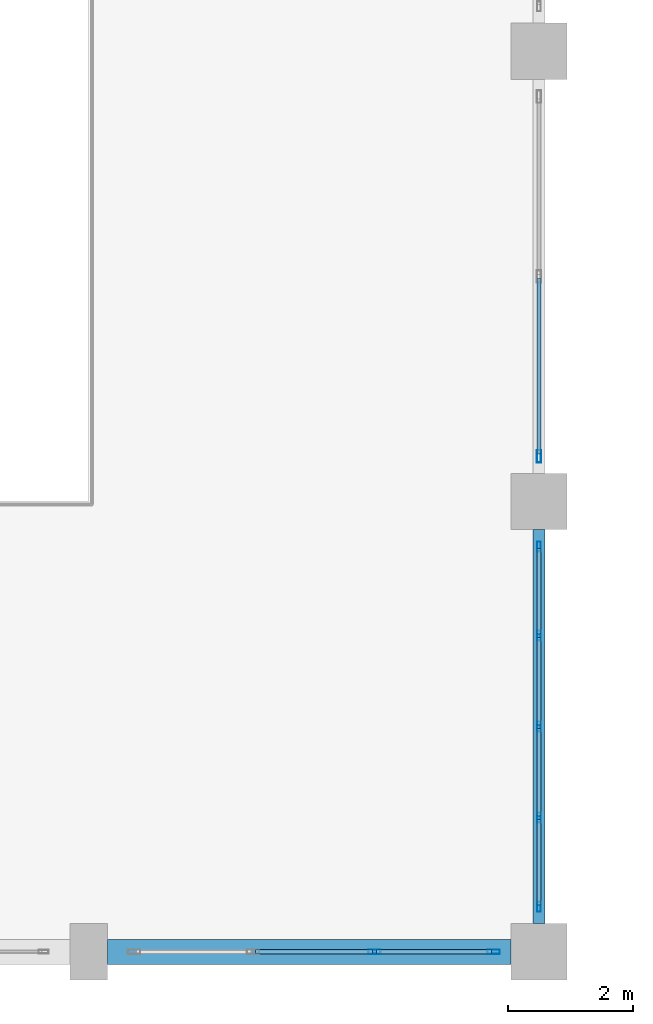
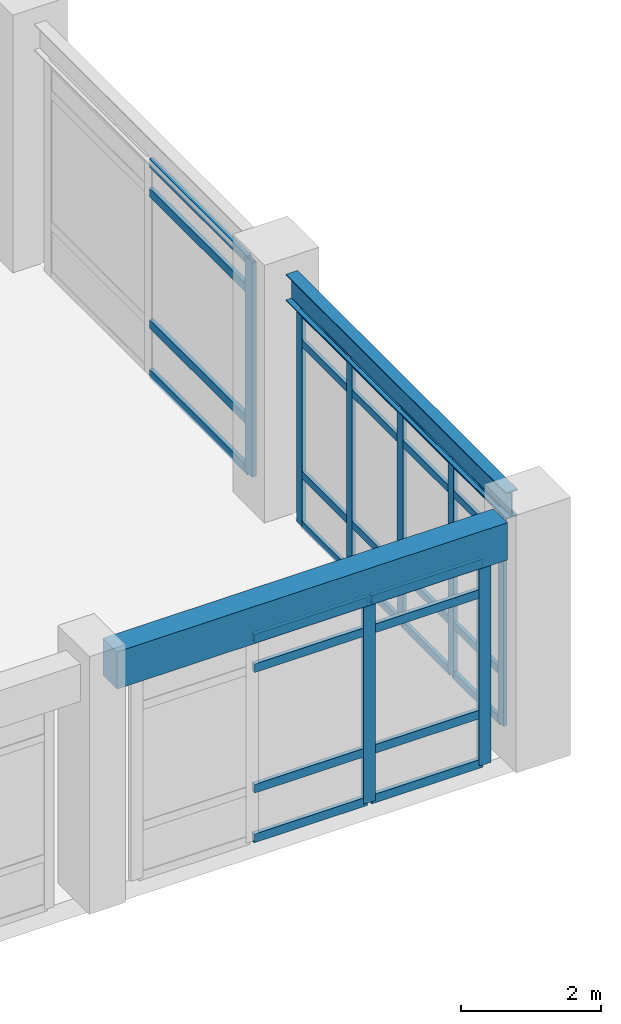
# One storey, part 15 of 106: 36 members, 2 beams, 3 elements without a shape of their own.
"""IFC4 building model written with IfcOpenShell, lengths in metres."""

from ifc_helpers import new_model, si_unit, direction, frame, origin, origin_2d, place, context, subcontext, project, spatial, rectangle, hollow_rectangle, i_section, extrude, material, layer, layer_set, material_profile, profile_set, type_object, element, aggregate, save


model = new_model("IFC4")

# Units and contexts
model_context = context("Model", 3, precision=1e-05, world=origin(), true_north=direction((0.0, 1.0)))
body_context = subcontext(model_context, "Body", "Model", "MODEL_VIEW")
ifc_project = project(units=[si_unit("LENGTHUNIT", "METRE"), si_unit("AREAUNIT", "SQUARE_METRE"), si_unit("VOLUMEUNIT", "CUBIC_METRE"), si_unit("PLANEANGLEUNIT", "RADIAN"), si_unit("MASSUNIT", "GRAM", prefix="KILO")], contexts=[model_context])

# Site, building, storey
site_placement = place(None, origin())
site = spatial("IfcSite", under=ifc_project, at=site_placement, CompositionType="ELEMENT")
building_placement = place(site_placement, origin())
building = spatial("IfcBuilding", under=site, at=building_placement, Name="Carrowvane Square Congress Hotel", CompositionType="ELEMENT")
storey_placement = place(building_placement, frame((0.0, 0.0, 10.5)))
storey = spatial("IfcBuildingStorey", under=building, at=storey_placement, Name="L02", CompositionType="ELEMENT", Elevation=10.5)

# Beam
ifc_material_1 = material(Name="Steel S355", Category="steel")
ifc_material_profile_1 = material_profile(ifc_material_1, i_section(OverallWidth=0.19140625, OverallDepth=0.4599609375, WebThickness=0.010009765625, FlangeThickness=0.01611328125, FilletRadius=0.01025390625, at=origin_2d()), Name="UKB 457x191x82")
ifc_profile_set_1 = profile_set([ifc_material_profile_1], Name="Steel S355")
beam_type_1 = type_object("IfcBeamType", Name="BM-ST-UKB457", PredefinedType="SPANDREL", material=ifc_profile_set_1)
beam_1_placement = place(storey_placement, frame((62.0, 5.85009765625, 3.989990234375), z_axis=(0.0, 1.0, 0.0), x_axis=(-1.0, 0.0, 0.0)))
element("IfcBeam", 1, at=beam_1_placement, inside=storey, type_object=beam_type_1, Name="L03 girder 8/A-B", PredefinedType="SPANDREL", context=body_context, shape_type="SweptSolid", body=[
    extrude(i_section(OverallWidth=0.19140625, OverallDepth=0.4599609375, WebThickness=0.010009765625, FlangeThickness=0.01611328125, FilletRadius=0.01025390625, at=origin_2d()), origin(), (0.0, 0.0, 1.0), 6.2998046875),
])

# Curtain wall, members
ifc_material_2 = material(Name="Anodised aluminium", Category="aluminium")
ifc_layer_1 = layer(ifc_material_2, 0.2099609375)
ifc_layer_set_1 = layer_set([ifc_layer_1], Name="Anodised aluminium")
curtain_wall_type_1 = type_object("IfcCurtainWallType", Name="CW-SYS-5", PredefinedType="NOTDEFINED", material=ifc_layer_set_1)
curtain_wall_1_placement = place(storey_placement, origin())
curtain_wall_1 = element("IfcCurtainWall", 2, at=curtain_wall_1_placement, inside=storey, type_object=curtain_wall_type_1, Name="L02 unitised curtain wall 188", PredefinedType="NOTDEFINED")
ifc_material_3 = material(Name="Anodised aluminium", Category="aluminium")
ifc_material_profile_2 = material_profile(ifc_material_3, hollow_rectangle(XDim=0.06005859375, YDim=0.159912109375, WallThickness=0.00390625, at=origin_2d()), Name="CW-ML 60x160x4")
ifc_profile_set_2 = profile_set([ifc_material_profile_2], Name="Anodised aluminium")
member_type_1 = type_object("IfcMemberType", Name="CW-MUL-1", PredefinedType="MULLION", material=ifc_profile_set_2)
member_1_placement = place(storey_placement, frame((62.0, 11.8798828125, 0.0), z_axis=(0.0, 0.0, 1.0), x_axis=(1.0, 0.0, 0.0)))
member_1 = element("IfcMember", 3, at=member_1_placement, type_object=member_type_1, Name="CW-5 mullion 1", PredefinedType="MULLION", context=body_context, shape_type="SweptSolid", body=[
    extrude(hollow_rectangle(XDim=0.06005859375, YDim=0.159912109375, WallThickness=0.00390625, at=origin_2d()), origin(), (0.0, 0.0, 1.0), 3.7451171875),
])
member_2_placement = place(storey_placement, frame((62.0, 10.455078125, 0.0), z_axis=(0.0, 0.0, 1.0), x_axis=(1.0, 0.0, 0.0)))
member_2 = element("IfcMember", 4, at=member_2_placement, type_object=member_type_1, Name="CW-5 mullion 2", PredefinedType="MULLION", context=body_context, shape_type="SweptSolid", body=[
    extrude(hollow_rectangle(XDim=0.06005859375, YDim=0.159912109375, WallThickness=0.00390625, at=origin_2d()), origin(), (0.0, 0.0, 1.0), 3.7451171875),
])
member_3_placement = place(storey_placement, frame((62.0, 9.0, 0.0), z_axis=(0.0, 0.0, 1.0), x_axis=(1.0, 0.0, 0.0)))
member_3 = element("IfcMember", 5, at=member_3_placement, type_object=member_type_1, Name="CW-5 mullion 3", PredefinedType="MULLION", context=body_context, shape_type="SweptSolid", body=[
    extrude(hollow_rectangle(XDim=0.06005859375, YDim=0.159912109375, WallThickness=0.00390625, at=origin_2d()), origin(), (0.0, 0.0, 1.0), 3.7451171875),
])
member_4_placement = place(storey_placement, frame((62.0, 7.544921875, 0.0), z_axis=(0.0, 0.0, 1.0), x_axis=(1.0, 0.0, 0.0)))
member_4 = element("IfcMember", 6, at=member_4_placement, type_object=member_type_1, Name="CW-5 mullion 4", PredefinedType="MULLION", context=body_context, shape_type="SweptSolid", body=[
    extrude(hollow_rectangle(XDim=0.06005859375, YDim=0.159912109375, WallThickness=0.00390625, at=origin_2d()), origin(), (0.0, 0.0, 1.0), 3.7451171875),
])
member_5_placement = place(storey_placement, frame((62.0, 6.1201171875, 0.0), z_axis=(0.0, 0.0, 1.0), x_axis=(1.0, 0.0, 0.0)))
member_5 = element("IfcMember", 7, at=member_5_placement, type_object=member_type_1, Name="CW-5 mullion 5", PredefinedType="MULLION", context=body_context, shape_type="SweptSolid", body=[
    extrude(hollow_rectangle(XDim=0.06005859375, YDim=0.159912109375, WallThickness=0.00390625, at=origin_2d()), origin(), (0.0, 0.0, 1.0), 3.7451171875),
])

# Curtain wall, member
ifc_material_4 = material(Name="Anodised aluminium", Category="aluminium")
ifc_layer_2 = layer(ifc_material_4, 0.197998046875)
ifc_layer_set_2 = layer_set([ifc_layer_2], Name="Anodised aluminium")
curtain_wall_type_2 = type_object("IfcCurtainWallType", Name="CW-SYS-4", PredefinedType="NOTDEFINED", material=ifc_layer_set_2)
curtain_wall_2_placement = place(storey_placement, origin())
curtain_wall_2 = element("IfcCurtainWall", 8, at=curtain_wall_2_placement, inside=storey, type_object=curtain_wall_type_2, Name="L02 unitised curtain wall 187", PredefinedType="NOTDEFINED")
ifc_material_5 = material(Name="Anodised aluminium", Category="aluminium")
ifc_material_profile_3 = material_profile(ifc_material_5, hollow_rectangle(XDim=0.070068359375, YDim=0.199951171875, WallThickness=0.0048828125, at=origin_2d()), Name="CW-ML 70x200x5")
ifc_profile_set_3 = profile_set([ifc_material_profile_3], Name="Anodised aluminium")
member_type_2 = type_object("IfcMemberType", Name="CW-MUL-2", PredefinedType="MULLION", material=ifc_profile_set_3)
member_6_placement = place(storey_placement, frame((62.0, 13.324951171875, 0.0), z_axis=(0.0, 0.0, 1.0), x_axis=(1.0, 0.0, 0.0)))
member_6 = element("IfcMember", 9, at=member_6_placement, type_object=member_type_2, Name="CW-4 mullion 3", PredefinedType="MULLION", context=body_context, shape_type="SweptSolid", body=[
    extrude(hollow_rectangle(XDim=0.070068359375, YDim=0.199951171875, WallThickness=0.0048828125, at=origin_2d()), origin(), (0.0, 0.0, 1.0), 3.7451171875),
])

# Curtain wall, members
ifc_material_6 = material(Name="Anodised aluminium", Category="aluminium")
ifc_layer_3 = layer(ifc_material_6, 0.221923828125)
ifc_layer_set_3 = layer_set([ifc_layer_3], Name="Anodised aluminium")
curtain_wall_type_3 = type_object("IfcCurtainWallType", Name="CW-SYS-6", PredefinedType="NOTDEFINED", material=ifc_layer_set_3)
curtain_wall_3_placement = place(storey_placement, origin())
curtain_wall_3 = element("IfcCurtainWall", 10, at=curtain_wall_3_placement, inside=storey, type_object=curtain_wall_type_3, Name="L02 unitised curtain wall 189", PredefinedType="NOTDEFINED")
member_7_placement = place(storey_placement, frame((61.27490234375, 5.39990234375, 0.0), z_axis=(0.0, 0.0, 1.0), x_axis=(0.0, -1.0, 0.0)))
member_7 = element("IfcMember", 11, at=member_7_placement, type_object=member_type_2, Name="CW-6 mullion 1", PredefinedType="MULLION", context=body_context, shape_type="SweptSolid", body=[
    extrude(hollow_rectangle(XDim=0.070068359375, YDim=0.199951171875, WallThickness=0.0048828125, at=origin_2d()), origin(), (0.0, 0.0, 1.0), 3.554931640625),
])
member_8_placement = place(storey_placement, frame((59.3701171875, 5.39990234375, 0.0), z_axis=(0.0, 0.0, 1.0), x_axis=(0.0, -1.0, 0.0)))
member_8 = element("IfcMember", 12, at=member_8_placement, type_object=member_type_2, Name="CW-6 mullion 2", PredefinedType="MULLION", context=body_context, shape_type="SweptSolid", body=[
    extrude(hollow_rectangle(XDim=0.070068359375, YDim=0.199951171875, WallThickness=0.0048828125, at=origin_2d()), origin(), (0.0, 0.0, 1.0), 3.554931640625),
])

# Member
ifc_material_7 = material(Name="Anodised aluminium", Category="aluminium")
ifc_material_profile_4 = material_profile(ifc_material_7, hollow_rectangle(XDim=0.06005859375, YDim=0.1298828125, WallThickness=0.00390625, at=origin_2d()), Name="CW-TR 60x130x4")
ifc_profile_set_4 = profile_set([ifc_material_profile_4], Name="Anodised aluminium")
member_type_3 = type_object("IfcMemberType", Name="CW-TRN-1", PredefinedType="USERDEFINED", material=ifc_profile_set_4)
member_9_placement = place(storey_placement, frame((62.0, 11.85009765625, 0.030029296875), z_axis=(0.0, -1.0, 0.0), x_axis=(1.0, 0.0, 0.0)))
member_9 = element("IfcMember", 13, at=member_9_placement, type_object=member_type_3, Name="CW-5 transom 1.1", ObjectType="TRANSOM", PredefinedType="USERDEFINED", context=body_context, shape_type="SweptSolid", body=[
    extrude(hollow_rectangle(XDim=0.06005859375, YDim=0.1298828125, WallThickness=0.00390625, at=origin_2d()), origin(), (0.0, 0.0, 1.0), 1.364990234375),
])

member_10_placement = place(storey_placement, frame((62.0, 11.85009765625, 0.89990234375), z_axis=(0.0, -1.0, 0.0), x_axis=(1.0, 0.0, 0.0)))
member_10 = element("IfcMember", 14, at=member_10_placement, type_object=member_type_3, Name="CW-5 transom 1.2", ObjectType="TRANSOM", PredefinedType="USERDEFINED", context=body_context, shape_type="SweptSolid", body=[
    extrude(hollow_rectangle(XDim=0.06005859375, YDim=0.1298828125, WallThickness=0.00390625, at=origin_2d()), origin(), (0.0, 0.0, 1.0), 1.364990234375),
])

member_11_placement = place(storey_placement, frame((62.0, 11.85009765625, 3.195068359375), z_axis=(0.0, -1.0, 0.0), x_axis=(1.0, 0.0, 0.0)))
member_11 = element("IfcMember", 15, at=member_11_placement, type_object=member_type_3, Name="CW-5 transom 1.3", ObjectType="TRANSOM", PredefinedType="USERDEFINED", context=body_context, shape_type="SweptSolid", body=[
    extrude(hollow_rectangle(XDim=0.06005859375, YDim=0.1298828125, WallThickness=0.00390625, at=origin_2d()), origin(), (0.0, 0.0, 1.0), 1.364990234375),
])

member_12_placement = place(storey_placement, frame((62.0, 11.85009765625, 3.715087890625), z_axis=(0.0, -1.0, 0.0), x_axis=(1.0, 0.0, 0.0)))
member_12 = element("IfcMember", 16, at=member_12_placement, type_object=member_type_3, Name="CW-5 transom 1.4", ObjectType="TRANSOM", PredefinedType="USERDEFINED", context=body_context, shape_type="SweptSolid", body=[
    extrude(hollow_rectangle(XDim=0.06005859375, YDim=0.1298828125, WallThickness=0.00390625, at=origin_2d()), origin(), (0.0, 0.0, 1.0), 1.364990234375),
])

member_13_placement = place(storey_placement, frame((62.0, 10.425048828125, 0.030029296875), z_axis=(0.0, -1.0, 0.0), x_axis=(1.0, 0.0, 0.0)))
member_13 = element("IfcMember", 17, at=member_13_placement, type_object=member_type_3, Name="CW-5 transom 2.1", ObjectType="TRANSOM", PredefinedType="USERDEFINED", context=body_context, shape_type="SweptSolid", body=[
    extrude(hollow_rectangle(XDim=0.06005859375, YDim=0.1298828125, WallThickness=0.00390625, at=origin_2d()), origin(), (0.0, 0.0, 1.0), 1.39501953125),
])

member_14_placement = place(storey_placement, frame((62.0, 10.425048828125, 0.89990234375), z_axis=(0.0, -1.0, 0.0), x_axis=(1.0, 0.0, 0.0)))
member_14 = element("IfcMember", 18, at=member_14_placement, type_object=member_type_3, Name="CW-5 transom 2.2", ObjectType="TRANSOM", PredefinedType="USERDEFINED", context=body_context, shape_type="SweptSolid", body=[
    extrude(hollow_rectangle(XDim=0.06005859375, YDim=0.1298828125, WallThickness=0.00390625, at=origin_2d()), origin(), (0.0, 0.0, 1.0), 1.39501953125),
])

member_15_placement = place(storey_placement, frame((62.0, 10.425048828125, 3.195068359375), z_axis=(0.0, -1.0, 0.0), x_axis=(1.0, 0.0, 0.0)))
member_15 = element("IfcMember", 19, at=member_15_placement, type_object=member_type_3, Name="CW-5 transom 2.3", ObjectType="TRANSOM", PredefinedType="USERDEFINED", context=body_context, shape_type="SweptSolid", body=[
    extrude(hollow_rectangle(XDim=0.06005859375, YDim=0.1298828125, WallThickness=0.00390625, at=origin_2d()), origin(), (0.0, 0.0, 1.0), 1.39501953125),
])

member_16_placement = place(storey_placement, frame((62.0, 10.425048828125, 3.715087890625), z_axis=(0.0, -1.0, 0.0), x_axis=(1.0, 0.0, 0.0)))
member_16 = element("IfcMember", 20, at=member_16_placement, type_object=member_type_3, Name="CW-5 transom 2.4", ObjectType="TRANSOM", PredefinedType="USERDEFINED", context=body_context, shape_type="SweptSolid", body=[
    extrude(hollow_rectangle(XDim=0.06005859375, YDim=0.1298828125, WallThickness=0.00390625, at=origin_2d()), origin(), (0.0, 0.0, 1.0), 1.39501953125),
])

member_17_placement = place(storey_placement, frame((62.0, 8.969970703125, 0.030029296875), z_axis=(0.0, -1.0, 0.0), x_axis=(1.0, 0.0, 0.0)))
member_17 = element("IfcMember", 21, at=member_17_placement, type_object=member_type_3, Name="CW-5 transom 3.1", ObjectType="TRANSOM", PredefinedType="USERDEFINED", context=body_context, shape_type="SweptSolid", body=[
    extrude(hollow_rectangle(XDim=0.06005859375, YDim=0.1298828125, WallThickness=0.00390625, at=origin_2d()), origin(), (0.0, 0.0, 1.0), 1.39501953125),
])

member_18_placement = place(storey_placement, frame((62.0, 8.969970703125, 0.89990234375), z_axis=(0.0, -1.0, 0.0), x_axis=(1.0, 0.0, 0.0)))
member_18 = element("IfcMember", 22, at=member_18_placement, type_object=member_type_3, Name="CW-5 transom 3.2", ObjectType="TRANSOM", PredefinedType="USERDEFINED", context=body_context, shape_type="SweptSolid", body=[
    extrude(hollow_rectangle(XDim=0.06005859375, YDim=0.1298828125, WallThickness=0.00390625, at=origin_2d()), origin(), (0.0, 0.0, 1.0), 1.39501953125),
])

member_19_placement = place(storey_placement, frame((62.0, 8.969970703125, 3.195068359375), z_axis=(0.0, -1.0, 0.0), x_axis=(1.0, 0.0, 0.0)))
member_19 = element("IfcMember", 23, at=member_19_placement, type_object=member_type_3, Name="CW-5 transom 3.3", ObjectType="TRANSOM", PredefinedType="USERDEFINED", context=body_context, shape_type="SweptSolid", body=[
    extrude(hollow_rectangle(XDim=0.06005859375, YDim=0.1298828125, WallThickness=0.00390625, at=origin_2d()), origin(), (0.0, 0.0, 1.0), 1.39501953125),
])

member_20_placement = place(storey_placement, frame((62.0, 8.969970703125, 3.715087890625), z_axis=(0.0, -1.0, 0.0), x_axis=(1.0, 0.0, 0.0)))
member_20 = element("IfcMember", 24, at=member_20_placement, type_object=member_type_3, Name="CW-5 transom 3.4", ObjectType="TRANSOM", PredefinedType="USERDEFINED", context=body_context, shape_type="SweptSolid", body=[
    extrude(hollow_rectangle(XDim=0.06005859375, YDim=0.1298828125, WallThickness=0.00390625, at=origin_2d()), origin(), (0.0, 0.0, 1.0), 1.39501953125),
])

member_21_placement = place(storey_placement, frame((62.0, 7.514892578125, 0.030029296875), z_axis=(0.0, -1.0, 0.0), x_axis=(1.0, 0.0, 0.0)))
member_21 = element("IfcMember", 25, at=member_21_placement, type_object=member_type_3, Name="CW-5 transom 4.1", ObjectType="TRANSOM", PredefinedType="USERDEFINED", context=body_context, shape_type="SweptSolid", body=[
    extrude(hollow_rectangle(XDim=0.06005859375, YDim=0.1298828125, WallThickness=0.00390625, at=origin_2d()), origin(), (0.0, 0.0, 1.0), 1.364990234375),
])

member_22_placement = place(storey_placement, frame((62.0, 7.514892578125, 0.89990234375), z_axis=(0.0, -1.0, 0.0), x_axis=(1.0, 0.0, 0.0)))
member_22 = element("IfcMember", 26, at=member_22_placement, type_object=member_type_3, Name="CW-5 transom 4.2", ObjectType="TRANSOM", PredefinedType="USERDEFINED", context=body_context, shape_type="SweptSolid", body=[
    extrude(hollow_rectangle(XDim=0.06005859375, YDim=0.1298828125, WallThickness=0.00390625, at=origin_2d()), origin(), (0.0, 0.0, 1.0), 1.364990234375),
])

member_23_placement = place(storey_placement, frame((62.0, 7.514892578125, 3.195068359375), z_axis=(0.0, -1.0, 0.0), x_axis=(1.0, 0.0, 0.0)))
member_23 = element("IfcMember", 27, at=member_23_placement, type_object=member_type_3, Name="CW-5 transom 4.3", ObjectType="TRANSOM", PredefinedType="USERDEFINED", context=body_context, shape_type="SweptSolid", body=[
    extrude(hollow_rectangle(XDim=0.06005859375, YDim=0.1298828125, WallThickness=0.00390625, at=origin_2d()), origin(), (0.0, 0.0, 1.0), 1.364990234375),
])

member_24_placement = place(storey_placement, frame((62.0, 7.514892578125, 3.715087890625), z_axis=(0.0, -1.0, 0.0), x_axis=(1.0, 0.0, 0.0)))
member_24 = element("IfcMember", 28, at=member_24_placement, type_object=member_type_3, Name="CW-5 transom 4.4", ObjectType="TRANSOM", PredefinedType="USERDEFINED", context=body_context, shape_type="SweptSolid", body=[
    extrude(hollow_rectangle(XDim=0.06005859375, YDim=0.1298828125, WallThickness=0.00390625, at=origin_2d()), origin(), (0.0, 0.0, 1.0), 1.364990234375),
])

aggregate(curtain_wall_1, [member_1, member_2, member_3, member_4, member_5, member_9, member_10, member_11, member_12, member_13, member_14, member_15, member_16, member_17, member_18, member_19, member_20, member_21, member_22, member_23, member_24])

ifc_material_8 = material(Name="Anodised aluminium", Category="aluminium")
ifc_material_profile_5 = material_profile(ifc_material_8, hollow_rectangle(XDim=0.070068359375, YDim=0.14990234375, WallThickness=0.0048828125, at=origin_2d()), Name="CW-TR 70x150x5")
ifc_profile_set_5 = profile_set([ifc_material_profile_5], Name="Anodised aluminium")
member_type_4 = type_object("IfcMemberType", Name="CW-TRN-2", PredefinedType="USERDEFINED", material=ifc_profile_set_5)
member_25_placement = place(storey_placement, frame((62.0, 16.1650390625, 0.034912109375), z_axis=(0.0, -1.0, 0.0), x_axis=(1.0, 0.0, 0.0)))
member_25 = element("IfcMember", 29, at=member_25_placement, type_object=member_type_4, Name="CW-4 transom 2.1", ObjectType="TRANSOM", PredefinedType="USERDEFINED", context=body_context, shape_type="SweptSolid", body=[
    extrude(hollow_rectangle(XDim=0.070068359375, YDim=0.14990234375, WallThickness=0.0048828125, at=origin_2d()), origin(), (0.0, 0.0, 1.0), 2.804931640625),
])

member_26_placement = place(storey_placement, frame((62.0, 16.1650390625, 0.89990234375), z_axis=(0.0, -1.0, 0.0), x_axis=(1.0, 0.0, 0.0)))
member_26 = element("IfcMember", 30, at=member_26_placement, type_object=member_type_4, Name="CW-4 transom 2.2", ObjectType="TRANSOM", PredefinedType="USERDEFINED", context=body_context, shape_type="SweptSolid", body=[
    extrude(hollow_rectangle(XDim=0.070068359375, YDim=0.14990234375, WallThickness=0.0048828125, at=origin_2d()), origin(), (0.0, 0.0, 1.0), 2.804931640625),
])

member_27_placement = place(storey_placement, frame((62.0, 16.1650390625, 3.195068359375), z_axis=(0.0, -1.0, 0.0), x_axis=(1.0, 0.0, 0.0)))
member_27 = element("IfcMember", 31, at=member_27_placement, type_object=member_type_4, Name="CW-4 transom 2.3", ObjectType="TRANSOM", PredefinedType="USERDEFINED", context=body_context, shape_type="SweptSolid", body=[
    extrude(hollow_rectangle(XDim=0.070068359375, YDim=0.14990234375, WallThickness=0.0048828125, at=origin_2d()), origin(), (0.0, 0.0, 1.0), 2.804931640625),
])

member_28_placement = place(storey_placement, frame((62.0, 16.1650390625, 3.7099609375), z_axis=(0.0, -1.0, 0.0), x_axis=(1.0, 0.0, 0.0)))
member_28 = element("IfcMember", 32, at=member_28_placement, type_object=member_type_4, Name="CW-4 transom 2.4", ObjectType="TRANSOM", PredefinedType="USERDEFINED", context=body_context, shape_type="SweptSolid", body=[
    extrude(hollow_rectangle(XDim=0.070068359375, YDim=0.14990234375, WallThickness=0.0048828125, at=origin_2d()), origin(), (0.0, 0.0, 1.0), 2.804931640625),
])

aggregate(curtain_wall_2, [member_6, member_25, member_26, member_27, member_28])

member_29_placement = place(storey_placement, frame((61.239990234375, 5.39990234375, 0.034912109375), z_axis=(-1.0, 0.0, 0.0), x_axis=(0.0, -1.0, 0.0)))
member_29 = element("IfcMember", 33, at=member_29_placement, type_object=member_type_4, Name="CW-6 transom 1.1", ObjectType="TRANSOM", PredefinedType="USERDEFINED", context=body_context, shape_type="SweptSolid", body=[
    extrude(hollow_rectangle(XDim=0.070068359375, YDim=0.14990234375, WallThickness=0.0048828125, at=origin_2d()), origin(), (0.0, 0.0, 1.0), 1.8349609375),
])

member_30_placement = place(storey_placement, frame((61.239990234375, 5.39990234375, 0.89990234375), z_axis=(-1.0, 0.0, 0.0), x_axis=(0.0, -1.0, 0.0)))
member_30 = element("IfcMember", 34, at=member_30_placement, type_object=member_type_4, Name="CW-6 transom 1.2", ObjectType="TRANSOM", PredefinedType="USERDEFINED", context=body_context, shape_type="SweptSolid", body=[
    extrude(hollow_rectangle(XDim=0.070068359375, YDim=0.14990234375, WallThickness=0.0048828125, at=origin_2d()), origin(), (0.0, 0.0, 1.0), 1.8349609375),
])

member_31_placement = place(storey_placement, frame((61.239990234375, 5.39990234375, 3.0048828125), z_axis=(-1.0, 0.0, 0.0), x_axis=(0.0, -1.0, 0.0)))
member_31 = element("IfcMember", 35, at=member_31_placement, type_object=member_type_4, Name="CW-6 transom 1.3", ObjectType="TRANSOM", PredefinedType="USERDEFINED", context=body_context, shape_type="SweptSolid", body=[
    extrude(hollow_rectangle(XDim=0.070068359375, YDim=0.14990234375, WallThickness=0.0048828125, at=origin_2d()), origin(), (0.0, 0.0, 1.0), 1.8349609375),
])

member_32_placement = place(storey_placement, frame((61.239990234375, 5.39990234375, 3.52001953125), z_axis=(-1.0, 0.0, 0.0), x_axis=(0.0, -1.0, 0.0)))
member_32 = element("IfcMember", 36, at=member_32_placement, type_object=member_type_4, Name="CW-6 transom 1.4", ObjectType="TRANSOM", PredefinedType="USERDEFINED", context=body_context, shape_type="SweptSolid", body=[
    extrude(hollow_rectangle(XDim=0.070068359375, YDim=0.14990234375, WallThickness=0.0048828125, at=origin_2d()), origin(), (0.0, 0.0, 1.0), 1.8349609375),
])

member_33_placement = place(storey_placement, frame((59.3349609375, 5.39990234375, 0.034912109375), z_axis=(-1.0, 0.0, 0.0), x_axis=(0.0, -1.0, 0.0)))
member_33 = element("IfcMember", 37, at=member_33_placement, type_object=member_type_4, Name="CW-6 transom 2.1", ObjectType="TRANSOM", PredefinedType="USERDEFINED", context=body_context, shape_type="SweptSolid", body=[
    extrude(hollow_rectangle(XDim=0.070068359375, YDim=0.14990234375, WallThickness=0.0048828125, at=origin_2d()), origin(), (0.0, 0.0, 1.0), 1.869873046875),
])

member_34_placement = place(storey_placement, frame((59.3349609375, 5.39990234375, 0.89990234375), z_axis=(-1.0, 0.0, 0.0), x_axis=(0.0, -1.0, 0.0)))
member_34 = element("IfcMember", 38, at=member_34_placement, type_object=member_type_4, Name="CW-6 transom 2.2", ObjectType="TRANSOM", PredefinedType="USERDEFINED", context=body_context, shape_type="SweptSolid", body=[
    extrude(hollow_rectangle(XDim=0.070068359375, YDim=0.14990234375, WallThickness=0.0048828125, at=origin_2d()), origin(), (0.0, 0.0, 1.0), 1.869873046875),
])

member_35_placement = place(storey_placement, frame((59.3349609375, 5.39990234375, 3.0048828125), z_axis=(-1.0, 0.0, 0.0), x_axis=(0.0, -1.0, 0.0)))
member_35 = element("IfcMember", 39, at=member_35_placement, type_object=member_type_4, Name="CW-6 transom 2.3", ObjectType="TRANSOM", PredefinedType="USERDEFINED", context=body_context, shape_type="SweptSolid", body=[
    extrude(hollow_rectangle(XDim=0.070068359375, YDim=0.14990234375, WallThickness=0.0048828125, at=origin_2d()), origin(), (0.0, 0.0, 1.0), 1.869873046875),
])

member_36_placement = place(storey_placement, frame((59.3349609375, 5.39990234375, 3.52001953125), z_axis=(-1.0, 0.0, 0.0), x_axis=(0.0, -1.0, 0.0)))
member_36 = element("IfcMember", 40, at=member_36_placement, type_object=member_type_4, Name="CW-6 transom 2.4", ObjectType="TRANSOM", PredefinedType="USERDEFINED", context=body_context, shape_type="SweptSolid", body=[
    extrude(hollow_rectangle(XDim=0.070068359375, YDim=0.14990234375, WallThickness=0.0048828125, at=origin_2d()), origin(), (0.0, 0.0, 1.0), 1.869873046875),
])

aggregate(curtain_wall_3, [member_7, member_8, member_29, member_30, member_31, member_32, member_33, member_34, member_35, member_36])

# Beam
ifc_material_9 = material(Name="Concrete C35/45", Category="concrete")
ifc_material_profile_6 = material_profile(ifc_material_9, rectangle(XDim=0.39990234375, YDim=0.64990234375, at=origin_2d()), Name="RC 400x650")
ifc_profile_set_6 = profile_set([ifc_material_profile_6], Name="Concrete C35/45")
beam_type_2 = type_object("IfcBeamType", Name="SP-RC-400x650", PredefinedType="SPANDREL", material=ifc_profile_set_6)
beam_2_placement = place(storey_placement, frame((55.10009765625, 5.39990234375, 3.89501953125), z_axis=(1.0, 0.0, 0.0), x_axis=(0.0, 1.0, 0.0)))
element("IfcBeam", 41, at=beam_2_placement, inside=storey, type_object=beam_type_2, Name="L03 girder A/7-8", PredefinedType="SPANDREL", context=body_context, shape_type="SweptSolid", body=[
    extrude(rectangle(XDim=0.39990234375, YDim=0.64990234375, at=origin_2d()), origin(), (0.0, 0.0, 1.0), 6.449951171875),
])

save(model, "model.ifc")
